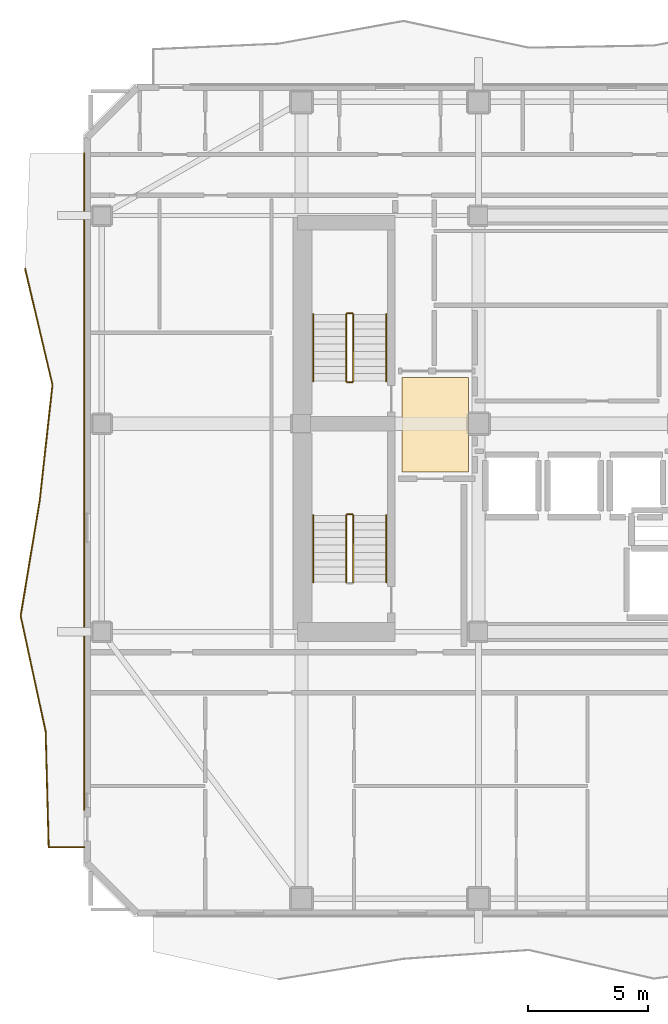
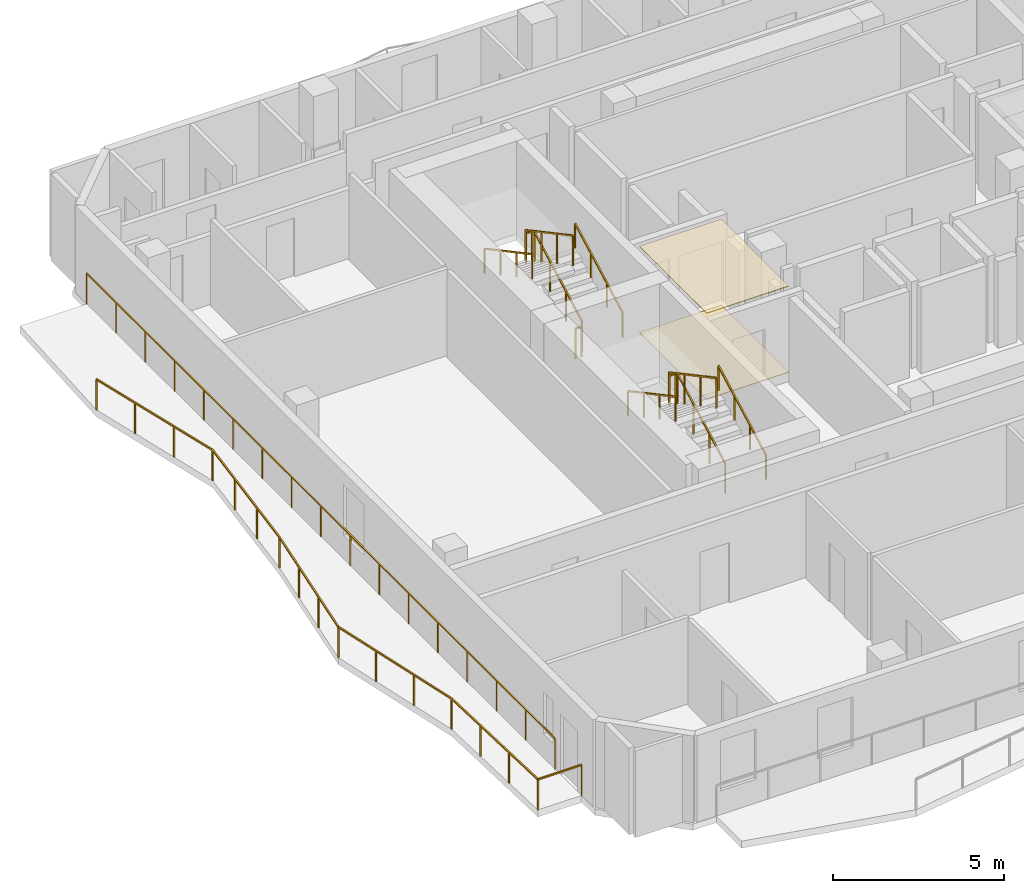
# One storey, part 8 of 10: 13 railings, 2 coverings.
"""IFC4 building model written with IfcOpenShell, lengths in metres."""

from ifc_helpers import new_model, si_unit, direction, frame, origin, origin_2d, place, context, subcontext, project, spatial, polyline, rectangle, outline, extrude, material, layer, layer_set, type_object, element, save


model = new_model("IFC4")

# Units and contexts
model_context = context("Model", 3, precision=1e-05, world=origin(), true_north=direction((0.0, 1.0)))
body_context = subcontext(model_context, "Body", "Model", "MODEL_VIEW")
ifc_project = project(units=[si_unit("LENGTHUNIT", "METRE"), si_unit("AREAUNIT", "SQUARE_METRE"), si_unit("VOLUMEUNIT", "CUBIC_METRE"), si_unit("PLANEANGLEUNIT", "RADIAN"), si_unit("MASSUNIT", "GRAM", prefix="KILO")], contexts=[model_context])

# Site, building, storey
site_placement = place(None, origin())
site = spatial("IfcSite", under=ifc_project, at=site_placement, CompositionType="ELEMENT")
building_placement = place(site_placement, origin())
building = spatial("IfcBuilding", under=site, at=building_placement, Name="Solanera Arch Residences", CompositionType="ELEMENT")
storey_placement = place(building_placement, frame((0.0, 0.0, 203.43994140625)))
storey = spatial("IfcBuildingStorey", under=building, at=storey_placement, Name="L59", CompositionType="ELEMENT", Elevation=203.43994140625)

# Railings
ifc_material_1 = material(Name="Steel S355 (ASTM A992 / A572 Grade 50)", Category="steel")
railing_type_1 = type_object("IfcRailingType", Name="Balustrade Railing BL-1100", PredefinedType="BALUSTRADE", material=ifc_material_1)
railing_1_placement = place(storey_placement, frame((1.85107421875, 37.1669921875, 0.0)))
element("IfcRailing", 1, at=railing_1_placement, inside=storey, type_object=railing_type_1, Name="L59 W Balcony Balustrade 1", PredefinedType="BALUSTRADE", context=body_context, shape_type="SweptSolid", body=[
    extrude(rectangle(XDim=0.048095703125, YDim=0.048095703125, at=origin_2d()), frame((0.0, 0.0, 1.09619140625), z_axis=(0.22988579656, -0.97321761212, 0.0), x_axis=(0.97321761212, 0.22988579656, 0.0)), (0.0, 0.0, 1.0), 4.967041015625),
    extrude(rectangle(XDim=0.048095703125, YDim=0.048095703125, at=origin_2d()), frame((1.141845703125, -4.833984375, 1.09619140625), z_axis=(-0.109213469557, -0.994018318779, 0.0), x_axis=(0.994018318779, -0.109213469557, 0.0)), (0.0, 0.0, 1.0), 4.862060546875),
    extrude(rectangle(XDim=0.048095703125, YDim=0.048095703125, at=origin_2d()), frame((0.61083984375, -9.6669921875, 1.09619140625), z_axis=(-0.163267434699, -0.986581848995, 0.0), x_axis=(0.986581848995, -0.163267434699, 0.0)), (0.0, 0.0, 1.0), 4.898681640625),
    extrude(rectangle(XDim=0.048095703125, YDim=0.048095703125, at=origin_2d()), frame((-0.18896484375, -14.5, 1.09619140625), z_axis=(0.211281808245, -0.977425187677, 0.0), x_axis=(0.977425187677, 0.211281808245, 0.0)), (0.0, 0.0, 1.0), 4.945556640625),
    extrude(rectangle(XDim=0.048095703125, YDim=0.048095703125, at=origin_2d()), frame((0.85595703125, -19.333984375, 1.09619140625), z_axis=(0.026460725568, -0.9996498537, 0.0), x_axis=(0.9996498537, 0.026460725568, 0.0)), (0.0, 0.0, 1.0), 4.834716796875),
    extrude(rectangle(XDim=0.048095703125, YDim=0.048095703125, at=origin_2d()), frame((0.98388671875, -24.1669921875, 1.09619140625), z_axis=(1.0, 0.0, 0.0), x_axis=(0.0, 1.0, 0.0)), (0.0, 0.0, 1.0), 1.485107421875),
    extrude(rectangle(XDim=0.0419921875, YDim=0.0419921875, at=origin_2d()), origin(), (0.0, 0.0, 1.0), 1.072021484375),
    extrude(rectangle(XDim=0.0419921875, YDim=0.0419921875, at=origin_2d()), frame((0.380615234375, -1.611328125, 0.0)), (0.0, 0.0, 1.0), 1.072021484375),
    extrude(rectangle(XDim=0.0419921875, YDim=0.0419921875, at=origin_2d()), frame((0.76123046875, -3.22265625, 0.0)), (0.0, 0.0, 1.0), 1.072021484375),
    extrude(rectangle(XDim=0.0419921875, YDim=0.0419921875, at=origin_2d()), frame((1.141845703125, -4.833984375, 0.0)), (0.0, 0.0, 1.0), 1.072021484375),
    extrude(rectangle(XDim=0.0419921875, YDim=0.0419921875, at=origin_2d()), frame((0.96484375, -6.445068359375, 0.0)), (0.0, 0.0, 1.0), 1.072021484375),
    extrude(rectangle(XDim=0.0419921875, YDim=0.0419921875, at=origin_2d()), frame((0.787841796875, -8.055908203125, 0.0)), (0.0, 0.0, 1.0), 1.072021484375),
    extrude(rectangle(XDim=0.0419921875, YDim=0.0419921875, at=origin_2d()), frame((0.61083984375, -9.6669921875, 0.0)), (0.0, 0.0, 1.0), 1.072021484375),
    extrude(rectangle(XDim=0.0419921875, YDim=0.0419921875, at=origin_2d()), frame((0.34423828125, -11.278076171875, 0.0)), (0.0, 0.0, 1.0), 1.072021484375),
    extrude(rectangle(XDim=0.0419921875, YDim=0.0419921875, at=origin_2d()), frame((0.07763671875, -12.888916015625, 0.0)), (0.0, 0.0, 1.0), 1.072021484375),
    extrude(rectangle(XDim=0.0419921875, YDim=0.0419921875, at=origin_2d()), frame((-0.18896484375, -14.5, 0.0)), (0.0, 0.0, 1.0), 1.072021484375),
    extrude(rectangle(XDim=0.0419921875, YDim=0.0419921875, at=origin_2d()), frame((0.159423828125, -16.111328125, 0.0)), (0.0, 0.0, 1.0), 1.072021484375),
    extrude(rectangle(XDim=0.0419921875, YDim=0.0419921875, at=origin_2d()), frame((0.507568359375, -17.72265625, 0.0)), (0.0, 0.0, 1.0), 1.072021484375),
    extrude(rectangle(XDim=0.0419921875, YDim=0.0419921875, at=origin_2d()), frame((0.85595703125, -19.333984375, 0.0)), (0.0, 0.0, 1.0), 1.072021484375),
    extrude(rectangle(XDim=0.0419921875, YDim=0.0419921875, at=origin_2d()), frame((0.898681640625, -20.945068359375, 0.0)), (0.0, 0.0, 1.0), 1.072021484375),
    extrude(rectangle(XDim=0.0419921875, YDim=0.0419921875, at=origin_2d()), frame((0.941162109375, -22.555908203125, 0.0)), (0.0, 0.0, 1.0), 1.072021484375),
    extrude(rectangle(XDim=0.0419921875, YDim=0.0419921875, at=origin_2d()), frame((0.98388671875, -24.1669921875, 0.0)), (0.0, 0.0, 1.0), 1.072021484375),
    extrude(rectangle(XDim=0.0419921875, YDim=0.0419921875, at=origin_2d()), frame((2.468994140625, -24.1669921875, 0.0)), (0.0, 0.0, 1.0), 1.072021484375),
])
railing_2_placement = place(storey_placement, frame((4.320068359375, 14.554931640625, 0.0)))
element("IfcRailing", 2, at=railing_2_placement, inside=storey, type_object=railing_type_1, Name="L59 W Balcony Balustrade 2", PredefinedType="BALUSTRADE", context=body_context, shape_type="SweptSolid", body=[
    extrude(rectangle(XDim=0.048095703125, YDim=0.048095703125, at=origin_2d()), frame((0.0, 0.0, 1.09619140625), z_axis=(0.0, 1.0, 0.0), x_axis=(-1.0, 0.0, 0.0)), (0.0, 0.0, 1.0), 27.445068359375),
    extrude(rectangle(XDim=0.0419921875, YDim=0.0419921875, at=origin_2d()), origin(), (0.0, 0.0, 1.0), 1.072021484375),
    extrude(rectangle(XDim=0.0419921875, YDim=0.0419921875, at=origin_2d()), frame((0.0, 1.71533203125, 0.0)), (0.0, 0.0, 1.0), 1.072021484375),
    extrude(rectangle(XDim=0.0419921875, YDim=0.0419921875, at=origin_2d()), frame((0.0, 3.4306640625, 0.0)), (0.0, 0.0, 1.0), 1.072021484375),
    extrude(rectangle(XDim=0.0419921875, YDim=0.0419921875, at=origin_2d()), frame((0.0, 5.14599609375, 0.0)), (0.0, 0.0, 1.0), 1.072021484375),
    extrude(rectangle(XDim=0.0419921875, YDim=0.0419921875, at=origin_2d()), frame((0.0, 6.861328125, 0.0)), (0.0, 0.0, 1.0), 1.072021484375),
    extrude(rectangle(XDim=0.0419921875, YDim=0.0419921875, at=origin_2d()), frame((0.0, 8.57666015625, 0.0)), (0.0, 0.0, 1.0), 1.072021484375),
    extrude(rectangle(XDim=0.0419921875, YDim=0.0419921875, at=origin_2d()), frame((0.0, 10.2919921875, 0.0)), (0.0, 0.0, 1.0), 1.072021484375),
    extrude(rectangle(XDim=0.0419921875, YDim=0.0419921875, at=origin_2d()), frame((0.0, 12.00732421875, 0.0)), (0.0, 0.0, 1.0), 1.072021484375),
    extrude(rectangle(XDim=0.0419921875, YDim=0.0419921875, at=origin_2d()), frame((0.0, 13.72265625, 0.0)), (0.0, 0.0, 1.0), 1.072021484375),
    extrude(rectangle(XDim=0.0419921875, YDim=0.0419921875, at=origin_2d()), frame((0.0, 15.437744140625, 0.0)), (0.0, 0.0, 1.0), 1.072021484375),
    extrude(rectangle(XDim=0.0419921875, YDim=0.0419921875, at=origin_2d()), frame((0.0, 17.153076171875, 0.0)), (0.0, 0.0, 1.0), 1.072021484375),
    extrude(rectangle(XDim=0.0419921875, YDim=0.0419921875, at=origin_2d()), frame((0.0, 18.868408203125, 0.0)), (0.0, 0.0, 1.0), 1.072021484375),
    extrude(rectangle(XDim=0.0419921875, YDim=0.0419921875, at=origin_2d()), frame((0.0, 20.583740234375, 0.0)), (0.0, 0.0, 1.0), 1.072021484375),
    extrude(rectangle(XDim=0.0419921875, YDim=0.0419921875, at=origin_2d()), frame((0.0, 22.299072265625, 0.0)), (0.0, 0.0, 1.0), 1.072021484375),
    extrude(rectangle(XDim=0.0419921875, YDim=0.0419921875, at=origin_2d()), frame((0.0, 24.014404296875, 0.0)), (0.0, 0.0, 1.0), 1.072021484375),
    extrude(rectangle(XDim=0.0419921875, YDim=0.0419921875, at=origin_2d()), frame((0.0, 25.729736328125, 0.0)), (0.0, 0.0, 1.0), 1.072021484375),
    extrude(rectangle(XDim=0.0419921875, YDim=0.0419921875, at=origin_2d()), frame((0.0, 27.445068359375, 0.0)), (0.0, 0.0, 1.0), 1.072021484375),
])

# Covering
ifc_material_2 = material(Name="Porcelain Acoustic Floor Tile", Category="ceramic")
ifc_layer_1 = layer(ifc_material_2, 0.02001953125)
ifc_layer_set_1 = layer_set([ifc_layer_1], Name="Porcelain Acoustic Floor Tile")
covering_type_1 = type_object("IfcCoveringType", Name="Porcelain Acoustic Floor Finish FLR-20", PredefinedType="FLOORING", material=ifc_layer_set_1)
covering_1_placement = place(storey_placement, origin())
element("IfcCovering", 3, at=covering_1_placement, inside=storey, type_object=covering_type_1, Name="L59-FFL-W Porcelain Floor Finish", PredefinedType="FLOORING", context=body_context, shape_type="SweptSolid", body=[
    extrude(outline(polyline([(20.375, 28.675048828125), (17.594970703125, 28.675048828125), (17.594970703125, 32.625), (20.375, 32.625), (20.375, 28.675048828125)])), origin(), (0.0, 0.0, 1.0), 0.02001953125),
])

# Railings
ifc_material_3 = material(Name="Steel S355 (ASTM A992 / A572 Grade 50)", Category="steel")
railing_type_2 = type_object("IfcRailingType", Name="Stair Guardrail GR-1100", PredefinedType="GUARDRAIL", material=ifc_material_3)
railing_3_placement = place(storey_placement, frame((15.570068359375, 32.47998046875, 0.151123046875)))
element("IfcRailing", 4, at=railing_3_placement, inside=storey, type_object=railing_type_2, Name="L59 ST-T1 stair guard 1", PredefinedType="GUARDRAIL", context=body_context, shape_type="SweptSolid", body=[
    extrude(rectangle(XDim=0.048095703125, YDim=0.048095703125, at=origin_2d()), frame((0.0, 0.0, 1.076171875), z_axis=(0.0, 0.881580869306, 0.472033018838), x_axis=(-1.0, 0.0, 0.0)), (0.0, 0.0, 1.0), 3.164794921875),
    extrude(rectangle(XDim=0.0419921875, YDim=0.0419921875, at=origin_2d()), origin(), (0.0, 0.0, 1.0), 1.052001953125),
    extrude(rectangle(XDim=0.0419921875, YDim=0.0419921875, at=origin_2d()), frame((0.0, 0.929931640625, 0.498046875)), (0.0, 0.0, 1.0), 1.052001953125),
    extrude(rectangle(XDim=0.0419921875, YDim=0.0419921875, at=origin_2d()), frame((0.0, 1.860107421875, 0.995849609375)), (0.0, 0.0, 1.0), 1.052001953125),
    extrude(rectangle(XDim=0.0419921875, YDim=0.0419921875, at=origin_2d()), frame((0.0, 2.7900390625, 1.493896484375)), (0.0, 0.0, 1.0), 1.052001953125),
])
railing_4_placement = place(storey_placement, frame((15.52001953125, 35.320068359375, 1.64501953125)))
element("IfcRailing", 5, at=railing_4_placement, inside=storey, type_object=railing_type_2, Name="L59 ST-T1 stair guard 2", PredefinedType="GUARDRAIL", context=body_context, shape_type="SweptSolid", body=[
    extrude(rectangle(XDim=0.048095703125, YDim=0.048095703125, at=origin_2d()), frame((0.0, 0.0, 1.076171875), z_axis=(-1.0, 0.0, 0.0), x_axis=(0.0, -1.0, 0.0)), (0.0, 0.0, 1.0), 0.199951171875),
    extrude(rectangle(XDim=0.0419921875, YDim=0.0419921875, at=origin_2d()), origin(), (0.0, 0.0, 1.0), 1.052001953125),
    extrude(rectangle(XDim=0.0419921875, YDim=0.0419921875, at=origin_2d()), frame((-0.199951171875, 0.0, 0.0)), (0.0, 0.0, 1.0), 1.052001953125),
])
railing_5_placement = place(storey_placement, frame((15.27001953125, 35.27001953125, 1.81103515625)))
element("IfcRailing", 6, at=railing_5_placement, inside=storey, type_object=railing_type_2, Name="L59 ST-T1 stair guard 3", PredefinedType="GUARDRAIL", context=body_context, shape_type="SweptSolid", body=[
    extrude(rectangle(XDim=0.048095703125, YDim=0.048095703125, at=origin_2d()), frame((0.0, 0.0, 1.076171875), z_axis=(0.0, -0.881548766853, 0.472092969298), x_axis=(1.0, 0.0, 0.0)), (0.0, 0.0, 1.0), 3.1650390625),
    extrude(rectangle(XDim=0.0419921875, YDim=0.0419921875, at=origin_2d()), origin(), (0.0, 0.0, 1.0), 1.052001953125),
    extrude(rectangle(XDim=0.0419921875, YDim=0.0419921875, at=origin_2d()), frame((0.0, -0.929931640625, 0.498046875)), (0.0, 0.0, 1.0), 1.052001953125),
    extrude(rectangle(XDim=0.0419921875, YDim=0.0419921875, at=origin_2d()), frame((0.0, -1.860107421875, 0.99609375)), (0.0, 0.0, 1.0), 1.052001953125),
    extrude(rectangle(XDim=0.0419921875, YDim=0.0419921875, at=origin_2d()), frame((0.0, -2.7900390625, 1.494140625)), (0.0, 0.0, 1.0), 1.052001953125),
])
railing_6_placement = place(storey_placement, frame((15.52001953125, 32.429931640625, -0.014892578125)))
element("IfcRailing", 7, at=railing_6_placement, inside=storey, type_object=railing_type_2, Name="L59 ST-T1 stair guard 4", PredefinedType="GUARDRAIL", context=body_context, shape_type="SweptSolid", body=[
    extrude(rectangle(XDim=0.048095703125, YDim=0.048095703125, at=origin_2d()), frame((0.0, 0.0, 1.076171875), z_axis=(-1.0, 0.0, 0.0), x_axis=(0.0, -1.0, 0.0)), (0.0, 0.0, 1.0), 0.199951171875),
    extrude(rectangle(XDim=0.0419921875, YDim=0.0419921875, at=origin_2d()), origin(), (0.0, 0.0, 1.0), 1.052001953125),
    extrude(rectangle(XDim=0.0419921875, YDim=0.0419921875, at=origin_2d()), frame((-0.199951171875, 0.0, 0.0)), (0.0, 0.0, 1.0), 1.052001953125),
])
railing_7_placement = place(storey_placement, frame((15.570068359375, 24.080078125, 0.151123046875)))
element("IfcRailing", 8, at=railing_7_placement, inside=storey, type_object=railing_type_2, Name="L59 ST-T3 stair guard 1", PredefinedType="GUARDRAIL", context=body_context, shape_type="SweptSolid", body=[
    extrude(rectangle(XDim=0.048095703125, YDim=0.048095703125, at=origin_2d()), frame((0.0, 0.0, 1.076171875), z_axis=(0.0, 0.881580869306, 0.472033018838), x_axis=(-1.0, 0.0, 0.0)), (0.0, 0.0, 1.0), 3.164794921875),
    extrude(rectangle(XDim=0.0419921875, YDim=0.0419921875, at=origin_2d()), origin(), (0.0, 0.0, 1.0), 1.052001953125),
    extrude(rectangle(XDim=0.0419921875, YDim=0.0419921875, at=origin_2d()), frame((0.0, 0.929931640625, 0.498046875)), (0.0, 0.0, 1.0), 1.052001953125),
    extrude(rectangle(XDim=0.0419921875, YDim=0.0419921875, at=origin_2d()), frame((0.0, 1.860107421875, 0.995849609375)), (0.0, 0.0, 1.0), 1.052001953125),
    extrude(rectangle(XDim=0.0419921875, YDim=0.0419921875, at=origin_2d()), frame((0.0, 2.7900390625, 1.493896484375)), (0.0, 0.0, 1.0), 1.052001953125),
])
railing_8_placement = place(storey_placement, frame((15.52001953125, 26.919921875, 1.64501953125)))
element("IfcRailing", 9, at=railing_8_placement, inside=storey, type_object=railing_type_2, Name="L59 ST-T3 stair guard 2", PredefinedType="GUARDRAIL", context=body_context, shape_type="SweptSolid", body=[
    extrude(rectangle(XDim=0.048095703125, YDim=0.048095703125, at=origin_2d()), frame((0.0, 0.0, 1.076171875), z_axis=(-1.0, 0.0, 0.0), x_axis=(0.0, -1.0, 0.0)), (0.0, 0.0, 1.0), 0.199951171875),
    extrude(rectangle(XDim=0.0419921875, YDim=0.0419921875, at=origin_2d()), origin(), (0.0, 0.0, 1.0), 1.052001953125),
    extrude(rectangle(XDim=0.0419921875, YDim=0.0419921875, at=origin_2d()), frame((-0.199951171875, 0.0, 0.0)), (0.0, 0.0, 1.0), 1.052001953125),
])
railing_9_placement = place(storey_placement, frame((15.27001953125, 26.8701171875, 1.81103515625)))
element("IfcRailing", 10, at=railing_9_placement, inside=storey, type_object=railing_type_2, Name="L59 ST-T3 stair guard 3", PredefinedType="GUARDRAIL", context=body_context, shape_type="SweptSolid", body=[
    extrude(rectangle(XDim=0.048095703125, YDim=0.048095703125, at=origin_2d()), frame((0.0, 0.0, 1.076171875), z_axis=(0.0, -0.881548766853, 0.472092969298), x_axis=(1.0, 0.0, 0.0)), (0.0, 0.0, 1.0), 3.1650390625),
    extrude(rectangle(XDim=0.0419921875, YDim=0.0419921875, at=origin_2d()), origin(), (0.0, 0.0, 1.0), 1.052001953125),
    extrude(rectangle(XDim=0.0419921875, YDim=0.0419921875, at=origin_2d()), frame((0.0, -0.929931640625, 0.498046875)), (0.0, 0.0, 1.0), 1.052001953125),
    extrude(rectangle(XDim=0.0419921875, YDim=0.0419921875, at=origin_2d()), frame((0.0, -1.860107421875, 0.99609375)), (0.0, 0.0, 1.0), 1.052001953125),
    extrude(rectangle(XDim=0.0419921875, YDim=0.0419921875, at=origin_2d()), frame((0.0, -2.7900390625, 1.494140625)), (0.0, 0.0, 1.0), 1.052001953125),
])
ifc_material_4 = material(Name="Steel S355 (ASTM A992 / A572 Grade 50)", Category="steel")
railing_type_3 = type_object("IfcRailingType", Name="Stair Wall Handrail HR-920", PredefinedType="HANDRAIL", material=ifc_material_4)
railing_10_placement = place(storey_placement, frame((16.949951171875, 32.47998046875, 0.166015625)))
element("IfcRailing", 11, at=railing_10_placement, inside=storey, type_object=railing_type_3, Name="L59 ST-T1 stair handrail 1", PredefinedType="HANDRAIL", context=body_context, shape_type="SweptSolid", body=[
    extrude(rectangle(XDim=0.048095703125, YDim=0.048095703125, at=origin_2d()), frame((0.0, 0.0, 0.8759765625), z_axis=(0.0, 0.881548766853, 0.472092969298), x_axis=(-1.0, 0.0, 0.0)), (0.0, 0.0, 1.0), 3.1650390625),
    extrude(rectangle(XDim=0.0419921875, YDim=0.0419921875, at=origin_2d()), origin(), (0.0, 0.0, 1.0), 0.851806640625),
    extrude(rectangle(XDim=0.0419921875, YDim=0.0419921875, at=origin_2d()), frame((0.0, 0.929931640625, 0.498046875)), (0.0, 0.0, 1.0), 0.851806640625),
    extrude(rectangle(XDim=0.0419921875, YDim=0.0419921875, at=origin_2d()), frame((0.0, 1.860107421875, 0.99609375)), (0.0, 0.0, 1.0), 0.851806640625),
    extrude(rectangle(XDim=0.0419921875, YDim=0.0419921875, at=origin_2d()), frame((0.0, 2.7900390625, 1.494140625)), (0.0, 0.0, 1.0), 0.851806640625),
])
railing_11_placement = place(storey_placement, frame((13.889892578125, 35.27001953125, 1.826171875)))
element("IfcRailing", 12, at=railing_11_placement, inside=storey, type_object=railing_type_3, Name="L59 ST-T1 stair handrail 2", PredefinedType="HANDRAIL", context=body_context, shape_type="SweptSolid", body=[
    extrude(rectangle(XDim=0.048095703125, YDim=0.048095703125, at=origin_2d()), frame((0.0, 0.0, 0.8759765625), z_axis=(0.0, -0.881580869306, 0.472033018838), x_axis=(1.0, 0.0, 0.0)), (0.0, 0.0, 1.0), 3.164794921875),
    extrude(rectangle(XDim=0.0419921875, YDim=0.0419921875, at=origin_2d()), origin(), (0.0, 0.0, 1.0), 0.851806640625),
    extrude(rectangle(XDim=0.0419921875, YDim=0.0419921875, at=origin_2d()), frame((0.0, -0.929931640625, 0.498046875)), (0.0, 0.0, 1.0), 0.851806640625),
    extrude(rectangle(XDim=0.0419921875, YDim=0.0419921875, at=origin_2d()), frame((0.0, -1.860107421875, 0.995849609375)), (0.0, 0.0, 1.0), 0.851806640625),
    extrude(rectangle(XDim=0.0419921875, YDim=0.0419921875, at=origin_2d()), frame((0.0, -2.7900390625, 1.493896484375)), (0.0, 0.0, 1.0), 0.851806640625),
])
railing_12_placement = place(storey_placement, frame((16.949951171875, 24.080078125, 0.166015625)))
element("IfcRailing", 13, at=railing_12_placement, inside=storey, type_object=railing_type_3, Name="L59 ST-T3 stair handrail 1", PredefinedType="HANDRAIL", context=body_context, shape_type="SweptSolid", body=[
    extrude(rectangle(XDim=0.048095703125, YDim=0.048095703125, at=origin_2d()), frame((0.0, 0.0, 0.8759765625), z_axis=(0.0, 0.881548766853, 0.472092969298), x_axis=(-1.0, 0.0, 0.0)), (0.0, 0.0, 1.0), 3.1650390625),
    extrude(rectangle(XDim=0.0419921875, YDim=0.0419921875, at=origin_2d()), origin(), (0.0, 0.0, 1.0), 0.851806640625),
    extrude(rectangle(XDim=0.0419921875, YDim=0.0419921875, at=origin_2d()), frame((0.0, 0.929931640625, 0.498046875)), (0.0, 0.0, 1.0), 0.851806640625),
    extrude(rectangle(XDim=0.0419921875, YDim=0.0419921875, at=origin_2d()), frame((0.0, 1.860107421875, 0.99609375)), (0.0, 0.0, 1.0), 0.851806640625),
    extrude(rectangle(XDim=0.0419921875, YDim=0.0419921875, at=origin_2d()), frame((0.0, 2.7900390625, 1.494140625)), (0.0, 0.0, 1.0), 0.851806640625),
])
railing_13_placement = place(storey_placement, frame((13.889892578125, 26.8701171875, 1.826171875)))
element("IfcRailing", 14, at=railing_13_placement, inside=storey, type_object=railing_type_3, Name="L59 ST-T3 stair handrail 2", PredefinedType="HANDRAIL", context=body_context, shape_type="SweptSolid", body=[
    extrude(rectangle(XDim=0.048095703125, YDim=0.048095703125, at=origin_2d()), frame((0.0, 0.0, 0.8759765625), z_axis=(0.0, -0.881580869306, 0.472033018838), x_axis=(1.0, 0.0, 0.0)), (0.0, 0.0, 1.0), 3.164794921875),
    extrude(rectangle(XDim=0.0419921875, YDim=0.0419921875, at=origin_2d()), origin(), (0.0, 0.0, 1.0), 0.851806640625),
    extrude(rectangle(XDim=0.0419921875, YDim=0.0419921875, at=origin_2d()), frame((0.0, -0.929931640625, 0.498046875)), (0.0, 0.0, 1.0), 0.851806640625),
    extrude(rectangle(XDim=0.0419921875, YDim=0.0419921875, at=origin_2d()), frame((0.0, -1.860107421875, 0.995849609375)), (0.0, 0.0, 1.0), 0.851806640625),
    extrude(rectangle(XDim=0.0419921875, YDim=0.0419921875, at=origin_2d()), frame((0.0, -2.7900390625, 1.493896484375)), (0.0, 0.0, 1.0), 0.851806640625),
])

# Covering
ifc_material_5 = material(Name="Mineral Fibre Acoustic Ceiling Board", Category="gypsum")
ifc_layer_2 = layer(ifc_material_5, 0.02490234375)
ifc_layer_set_2 = layer_set([ifc_layer_2], Name="Mineral Fibre Acoustic Ceiling Board")
covering_type_2 = type_object("IfcCoveringType", Name="Suspended Acoustic Ceiling Board CLG-25", PredefinedType="CEILING", material=ifc_layer_set_2)
covering_2_placement = place(storey_placement, frame((0.0, 0.0, 3.074951171875)))
element("IfcCovering", 15, at=covering_2_placement, inside=storey, type_object=covering_type_2, Name="L59-FFL-W Acoustic Ceiling", PredefinedType="CEILING", context=body_context, shape_type="SweptSolid", body=[
    extrude(outline(polyline([(20.375, 28.675048828125), (17.594970703125, 28.675048828125), (17.594970703125, 32.625), (20.375, 32.625), (20.375, 28.675048828125)])), origin(), (0.0, 0.0, 1.0), 0.025146484375),
])

save(model, "model.ifc")
